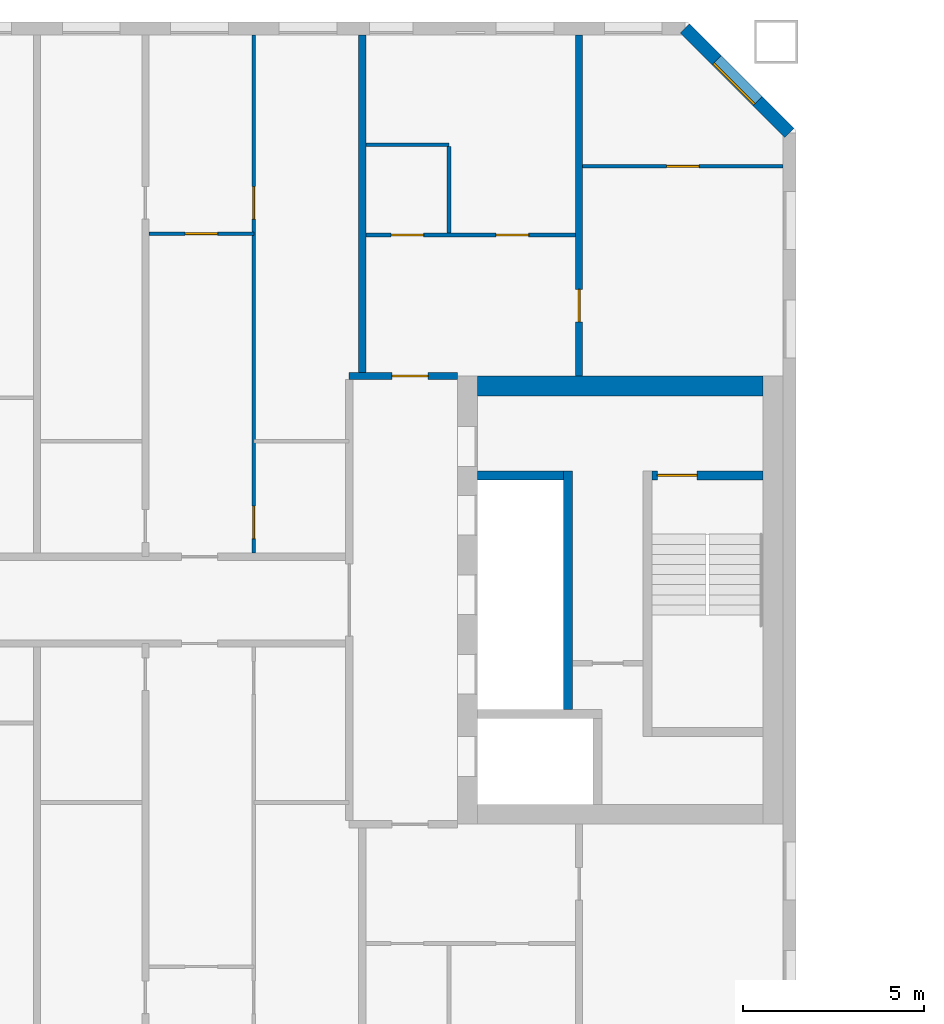
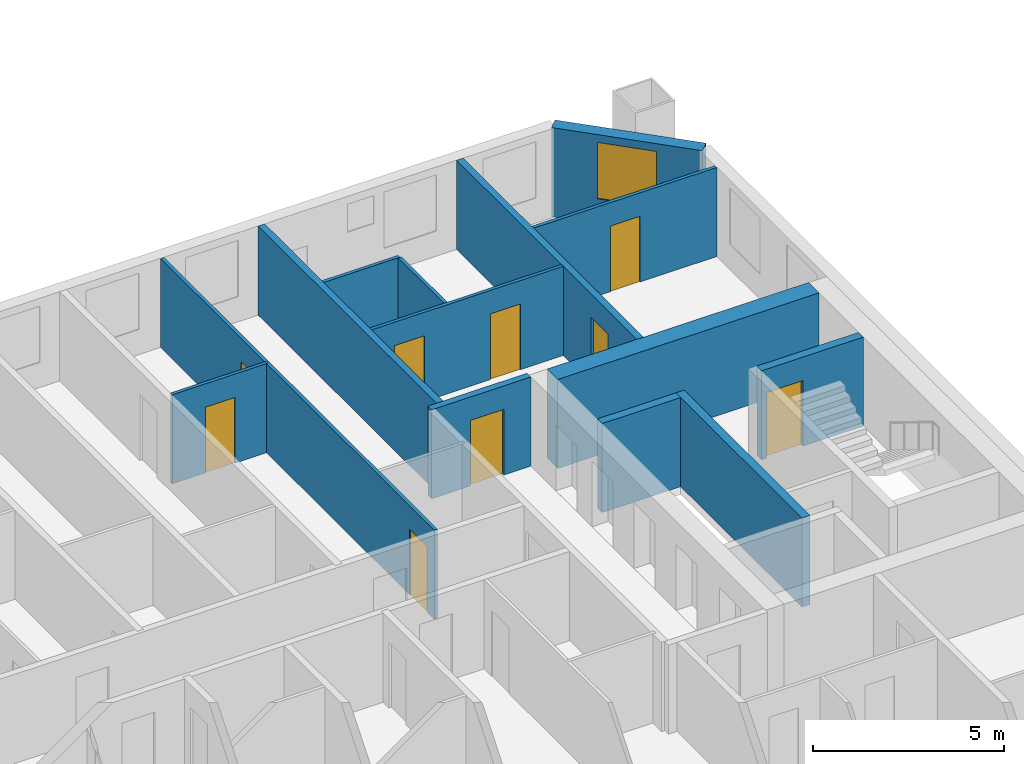
# One storey, part 8 of 17: 14 walls, 9 doors, 1 window, 10 openings.
"""IFC4 building model written with IfcOpenShell, lengths in metres."""

from ifc_helpers import new_model, si_unit, direction, frame, frame_2d, origin, place, context, subcontext, project, spatial, rectangle, extrude, material, layer, layer_set, type_object, element, fill, save


model = new_model("IFC4")

# Units and contexts
model_context = context("Model", 3, precision=1e-05, world=origin(), true_north=direction((0.0, 1.0)))
body_context = subcontext(model_context, "Body", "Model", "MODEL_VIEW")
ifc_project = project(units=[si_unit("LENGTHUNIT", "METRE"), si_unit("AREAUNIT", "SQUARE_METRE"), si_unit("VOLUMEUNIT", "CUBIC_METRE"), si_unit("PLANEANGLEUNIT", "RADIAN"), si_unit("MASSUNIT", "GRAM", prefix="KILO")], contexts=[model_context])

# Site, building, storey
site_placement = place(None, origin())
site = spatial("IfcSite", under=ifc_project, at=site_placement, CompositionType="ELEMENT")
building_placement = place(site_placement, origin())
building = spatial("IfcBuilding", under=site, at=building_placement, Name="Tuart Gate Housing", CompositionType="ELEMENT")
storey_placement = place(building_placement, frame((0.0, 0.0, 126.800048828125)))
storey = spatial("IfcBuildingStorey", under=building, at=storey_placement, Name="L35", CompositionType="ELEMENT", Elevation=126.800048828125)

# Wall, opening, window
ifc_material_1 = material(Name="Brick", Category="masonry")
ifc_layer_1 = layer(ifc_material_1, 0.360107421875)
ifc_layer_set_1 = layer_set([ifc_layer_1], Name="Brick pier and spandrel wall 360")
wall_type_1 = type_object("IfcWallType", Name="Brick pier and spandrel wall 360", PredefinedType="STANDARD", material=ifc_layer_set_1)
wall_1_placement = place(storey_placement, frame((75.820068359375, 82.92529296875, 0.0), z_axis=(0.0, 0.0, 1.0), x_axis=(-0.707106781187, 0.707106781187, 0.0)))
wall_1 = element("IfcWall", 1, at=wall_1_placement, inside=storey, type_object=wall_type_1, Name="External wall A-NE L35", PredefinedType="STANDARD", context=body_context, shape_type="SweptSolid", body=[
    extrude(rectangle(XDim=4.09375, YDim=0.360107421875, at=frame_2d((2.046875, 0.0))), origin(), (0.0, 0.0, 1.0), 2.849853515625),
])
opening_1_placement = place(wall_1_placement, frame((1.2470703125, 0.0, 0.800048828125)))
opening_1 = element("IfcOpeningElement", 2, at=opening_1_placement, cuts=wall_1, Name="Opening W1", PredefinedType="OPENING", context=body_context, shape_type="SweptSolid", body=[
    extrude(rectangle(XDim=1.60009765625, YDim=1.800048828125, at=frame_2d((0.800048828125, 0.89990234375))), frame((0.0, 0.18994140625, 0.0), z_axis=(0.0, -1.0, 0.0), x_axis=(1.0, 0.0, 0.0)), (0.0, 0.0, 1.0), 0.380126953125),
])
ifc_material_2 = material(Name="Aluminium frame with clear glass", Category="aluminium")
window_type = type_object("IfcWindowType", Name="Punched window 1600 x 1800", PartitioningType="SINGLE_PANEL", PredefinedType="WINDOW", material=ifc_material_2)
window_placement = place(opening_1_placement, origin())
window = element("IfcWindow", 3, at=window_placement, inside=storey, type_object=window_type, Name="Window W1", OverallHeight=1.800048828125, OverallWidth=1.60009765625, PartitioningType="SINGLE_PANEL", PredefinedType="WINDOW", context=body_context, shape_type="SweptSolid", body=[
    extrude(rectangle(XDim=1.60009765625, YDim=1.800048828125, at=frame_2d((0.800048828125, 0.89990234375))), frame((0.0, 0.150146484375, 0.0), z_axis=(0.0, -1.0, 0.0), x_axis=(1.0, 0.0, 0.0)), (0.0, 0.0, 1.0), 0.06005859375),
])
fill(opening_1, window)

# Wall
ifc_material_3 = material(Name="Concrete C50", Category="concrete")
ifc_layer_2 = layer(ifc_material_3, 0.25)
ifc_layer_set_2 = layer_set([ifc_layer_2], Name="Core wall 250 C50")
wall_type_2 = type_object("IfcWallType", Name="Core wall 250 C50", PredefinedType="SHEAR", material=ifc_layer_set_2)
wall_2_placement = place(storey_placement, frame((67.18994140625, 73.449951171875, 0.0), z_axis=(0.0, 0.0, 1.0), x_axis=(1.0, 0.0, 0.0)))
element("IfcWall", 4, at=wall_2_placement, inside=storey, type_object=wall_type_2, Name="Core wall AG.4", PredefinedType="SHEAR", context=body_context, shape_type="SweptSolid", body=[
    extrude(rectangle(XDim=2.375, YDim=0.25, at=frame_2d((1.1875, 0.0))), origin(), (0.0, 0.0, 1.0), 2.849853515625),
])

# Wall, opening, door
wall_3_placement = place(storey_placement, frame((72.014892578125, 73.449951171875, 0.0), z_axis=(0.0, 0.0, 1.0), x_axis=(1.0, 0.0, 0.0)))
wall_3 = element("IfcWall", 5, at=wall_3_placement, inside=storey, type_object=wall_type_2, Name="Core wall AG.5", PredefinedType="SHEAR", context=body_context, shape_type="SweptSolid", body=[
    extrude(rectangle(XDim=3.0751953125, YDim=0.25, at=frame_2d((1.53759765625, 0.0))), origin(), (0.0, 0.0, 1.0), 2.849853515625),
])
opening_2_placement = place(wall_3_placement, frame((0.14990234375, 0.0, 0.0)))
opening_2 = element("IfcOpeningElement", 6, at=opening_2_placement, cuts=wall_3, Name="Opening D1313", PredefinedType="OPENING", context=body_context, shape_type="SweptSolid", body=[
    extrude(rectangle(XDim=1.10009765625, YDim=2.10009765625, at=frame_2d((0.550048828125, 1.050048828125))), frame((0.0, 0.135009765625, 0.0), z_axis=(0.0, -1.0, 0.0), x_axis=(1.0, 0.0, 0.0)), (0.0, 0.0, 1.0), 0.27001953125),
])
ifc_material_4 = material(Name="Steel fire door", Category="steel")
door_type_1 = type_object("IfcDoorType", Name="Stair door 1100 x 2100 RH", OperationType="SINGLE_SWING_RIGHT", PredefinedType="DOOR", material=ifc_material_4)
door_1_placement = place(opening_2_placement, frame((1.10009765625, 0.0, 0.0), z_axis=(0.0, 0.0, 1.0), x_axis=(-1.0, 0.0, 0.0)))
door_1 = element("IfcDoor", 7, at=door_1_placement, inside=storey, type_object=door_type_1, Name="Stair door AG.SD", OperationType="SINGLE_SWING_RIGHT", OverallHeight=2.10009765625, OverallWidth=1.10009765625, PredefinedType="DOOR", context=body_context, shape_type="SweptSolid", body=[
    extrude(rectangle(XDim=1.10009765625, YDim=2.10009765625, at=frame_2d((0.550048828125, 1.050048828125))), frame((0.0, 0.025146484375, 0.0), z_axis=(0.0, -1.0, 0.0), x_axis=(1.0, 0.0, 0.0)), (0.0, 0.0, 1.0), 0.050048828125),
])
fill(opening_2, door_1)

# Walls
wall_4_placement = place(storey_placement, frame((69.68994140625, 66.97509765625, 0.0), z_axis=(0.0, 0.0, 1.0), x_axis=(0.0, 1.0, 0.0)))
element("IfcWall", 8, at=wall_4_placement, inside=storey, type_object=wall_type_2, Name="Core wall AG.6", PredefinedType="SHEAR", context=body_context, shape_type="SweptSolid", body=[
    extrude(rectangle(XDim=6.599853515625, YDim=0.25, at=frame_2d((3.2998046875, 0.0))), origin(), (0.0, 0.0, 1.0), 2.849853515625),
])
ifc_material_5 = material(Name="Concrete C50", Category="concrete")
ifc_layer_3 = layer(ifc_material_5, 0.550048828125)
ifc_layer_set_3 = layer_set([ifc_layer_3], Name="Core wall 550 C50")
wall_type_3 = type_object("IfcWallType", Name="Core wall 550 C50", PredefinedType="SHEAR", material=ifc_layer_set_3)
wall_5_placement = place(storey_placement, frame((67.18994140625, 75.925048828125, 0.0), z_axis=(0.0, 0.0, 1.0), x_axis=(1.0, 0.0, 0.0)))
element("IfcWall", 9, at=wall_5_placement, inside=storey, type_object=wall_type_3, Name="Core wall AG north", PredefinedType="SHEAR", context=body_context, shape_type="SweptSolid", body=[
    extrude(rectangle(XDim=7.900146484375, YDim=0.550048828125, at=frame_2d((3.9501953125, 0.0))), origin(), (0.0, 0.0, 1.0), 2.849853515625),
])

# Wall, opening, door
ifc_material_6 = material(Name="Concrete masonry 15 MPa", Category="masonry")
ifc_layer_4 = layer(ifc_material_6, 0.199951171875)
ifc_layer_set_4 = layer_set([ifc_layer_4], Name="Enclosure wall masonry 200")
wall_type_4 = type_object("IfcWallType", Name="Enclosure wall masonry 200", PredefinedType="PARTITIONING", material=ifc_layer_set_4)
wall_6_placement = place(storey_placement, frame((63.639892578125, 76.199951171875, 0.0), z_axis=(0.0, 0.0, 1.0), x_axis=(1.0, 0.0, 0.0)))
wall_6 = element("IfcWall", 10, at=wall_6_placement, inside=storey, type_object=wall_type_4, Name="Enclosure wall masonry 200", PredefinedType="PARTITIONING", context=body_context, shape_type="SweptSolid", body=[
    extrude(rectangle(XDim=3.0, YDim=0.199951171875, at=frame_2d((1.5, 0.0))), origin(), (0.0, 0.0, 1.0), 2.849853515625),
])
opening_3_placement = place(wall_6_placement, frame((1.179931640625, 0.0, 0.0)))
opening_3 = element("IfcOpeningElement", 11, at=opening_3_placement, cuts=wall_6, Name="Opening D1311", PredefinedType="OPENING", context=body_context, shape_type="SweptSolid", body=[
    extrude(rectangle(XDim=1.0, YDim=2.10009765625, at=frame_2d((0.5, 1.050048828125))), frame((0.0, 0.10986328125, 0.0), z_axis=(0.0, -1.0, 0.0), x_axis=(1.0, 0.0, 0.0)), (0.0, 0.0, 1.0), 0.219970703125),
])
ifc_material_7 = material(Name="Timber door leaf in steel frame", Category="steel")
door_type_2 = type_object("IfcDoorType", Name="Flat entrance door 1000", OperationType="SINGLE_SWING_LEFT", PredefinedType="DOOR", material=ifc_material_7)
door_2_placement = place(opening_3_placement, origin())
door_2 = element("IfcDoor", 12, at=door_2_placement, inside=storey, type_object=door_type_2, Name="Flat entrance door", OperationType="SINGLE_SWING_LEFT", OverallHeight=2.10009765625, OverallWidth=1.0, PredefinedType="DOOR", context=body_context, shape_type="SweptSolid", body=[
    extrude(rectangle(XDim=1.0, YDim=2.10009765625, at=frame_2d((0.5, 1.050048828125))), frame((0.0, 0.02490234375, 0.0), z_axis=(0.0, -1.0, 0.0), x_axis=(1.0, 0.0, 0.0)), (0.0, 0.0, 1.0), 0.050048828125),
])
fill(opening_3, door_2)

# Wall, openings, doors
ifc_material_8 = material(Name="Gypsum board on steel studs", Category="steel")
ifc_layer_5 = layer(ifc_material_8, 0.10009765625)
ifc_layer_set_5 = layer_set([ifc_layer_5], Name="Partition 100")
wall_type_5 = type_object("IfcWallType", Name="Partition 100", PredefinedType="PARTITIONING", material=ifc_layer_set_5)
wall_7_placement = place(storey_placement, frame((64.10009765625, 80.10009765625, 0.0), z_axis=(0.0, 0.0, 1.0), x_axis=(1.0, 0.0, 0.0)))
wall_7 = element("IfcWall", 13, at=wall_7_placement, inside=storey, type_object=wall_type_5, Name="Partition 100", PredefinedType="PARTITIONING", context=body_context, shape_type="SweptSolid", body=[
    extrude(rectangle(XDim=5.7998046875, YDim=0.10009765625, at=frame_2d((2.89990234375, 0.0))), origin(), (0.0, 0.0, 1.0), 2.849853515625),
])
opening_4_placement = place(wall_7_placement, frame((3.60009765625, 0.0, 0.0)))
opening_4 = element("IfcOpeningElement", 14, at=opening_4_placement, cuts=wall_7, Name="Opening D1297", PredefinedType="OPENING", context=body_context, shape_type="SweptSolid", body=[
    extrude(rectangle(XDim=0.89990234375, YDim=2.10009765625, at=frame_2d((0.449951171875, 1.050048828125))), frame((0.0, 0.06005859375, 0.0), z_axis=(0.0, -1.0, 0.0), x_axis=(1.0, 0.0, 0.0)), (0.0, 0.0, 1.0), 0.1201171875),
])
opening_5_placement = place(wall_7_placement, frame((0.699951171875, 0.0, 0.0)))
opening_5 = element("IfcOpeningElement", 15, at=opening_5_placement, cuts=wall_7, Name="Opening D1296", PredefinedType="OPENING", context=body_context, shape_type="SweptSolid", body=[
    extrude(rectangle(XDim=0.89990234375, YDim=2.10009765625, at=frame_2d((0.449951171875, 1.050048828125))), frame((0.0, 0.06005859375, 0.0), z_axis=(0.0, -1.0, 0.0), x_axis=(1.0, 0.0, 0.0)), (0.0, 0.0, 1.0), 0.1201171875),
])
ifc_material_9 = material(Name="Timber door leaf in steel frame", Category="steel")
door_type_3 = type_object("IfcDoorType", Name="Bathroom door 900 RH", OperationType="SINGLE_SWING_RIGHT", PredefinedType="DOOR", material=ifc_material_9)
door_3_placement = place(opening_5_placement, origin())
door_3 = element("IfcDoor", 16, at=door_3_placement, inside=storey, type_object=door_type_3, Name="Bathroom door", OperationType="SINGLE_SWING_RIGHT", OverallHeight=2.10009765625, OverallWidth=0.89990234375, PredefinedType="DOOR", context=body_context, shape_type="SweptSolid", body=[
    extrude(rectangle(XDim=0.89990234375, YDim=2.10009765625, at=frame_2d((0.449951171875, 1.050048828125))), frame((0.0, 0.02490234375, 0.0), z_axis=(0.0, -1.0, 0.0), x_axis=(1.0, 0.0, 0.0)), (0.0, 0.0, 1.0), 0.050048828125),
])
fill(opening_5, door_3)
ifc_material_10 = material(Name="Timber door leaf in steel frame", Category="steel")
door_type_4 = type_object("IfcDoorType", Name="Internal door 900", OperationType="SINGLE_SWING_LEFT", PredefinedType="DOOR", material=ifc_material_10)
door_4_placement = place(opening_4_placement, origin())
door_4 = element("IfcDoor", 17, at=door_4_placement, inside=storey, type_object=door_type_4, Name="Internal door", OperationType="SINGLE_SWING_LEFT", OverallHeight=2.10009765625, OverallWidth=0.89990234375, PredefinedType="DOOR", context=body_context, shape_type="SweptSolid", body=[
    extrude(rectangle(XDim=0.89990234375, YDim=2.10009765625, at=frame_2d((0.449951171875, 1.050048828125))), frame((0.0, 0.02490234375, 0.0), z_axis=(0.0, -1.0, 0.0), x_axis=(1.0, 0.0, 0.0)), (0.0, 0.0, 1.0), 0.050048828125),
])
fill(opening_4, door_4)

# Wall, opening, door
wall_8_placement = place(storey_placement, frame((58.10009765625, 80.139892578125, 0.0), z_axis=(0.0, 0.0, 1.0), x_axis=(1.0, 0.0, 0.0)))
wall_8 = element("IfcWall", 18, at=wall_8_placement, inside=storey, type_object=wall_type_5, Name="Partition 100", PredefinedType="PARTITIONING", context=body_context, shape_type="SweptSolid", body=[
    extrude(rectangle(XDim=2.89990234375, YDim=0.10009765625, at=frame_2d((1.449951171875, 0.0))), origin(), (0.0, 0.0, 1.0), 2.849853515625),
])
opening_6_placement = place(wall_8_placement, frame((1.0, 0.0, 0.0)))
opening_6 = element("IfcOpeningElement", 19, at=opening_6_placement, cuts=wall_8, Name="Opening D1293", PredefinedType="OPENING", context=body_context, shape_type="SweptSolid", body=[
    extrude(rectangle(XDim=0.89990234375, YDim=2.10009765625, at=frame_2d((0.449951171875, 1.050048828125))), frame((0.0, 0.06005859375, 0.0), z_axis=(0.0, -1.0, 0.0), x_axis=(1.0, 0.0, 0.0)), (0.0, 0.0, 1.0), 0.1201171875),
])
door_5_placement = place(opening_6_placement, frame((0.89990234375, 0.0, 0.0), z_axis=(0.0, 0.0, 1.0), x_axis=(-1.0, 0.0, 0.0)))
door_5 = element("IfcDoor", 20, at=door_5_placement, inside=storey, type_object=door_type_4, Name="Internal door", OperationType="SINGLE_SWING_LEFT", OverallHeight=2.10009765625, OverallWidth=0.89990234375, PredefinedType="DOOR", context=body_context, shape_type="SweptSolid", body=[
    extrude(rectangle(XDim=0.89990234375, YDim=2.10009765625, at=frame_2d((0.449951171875, 1.050048828125))), frame((0.0, 0.025146484375, 0.0), z_axis=(0.0, -1.0, 0.0), x_axis=(1.0, 0.0, 0.0)), (0.0, 0.0, 1.0), 0.050048828125),
])
fill(opening_6, door_5)

wall_9_placement = place(storey_placement, frame((70.10009765625, 82.0, 0.0), z_axis=(0.0, 0.0, 1.0), x_axis=(1.0, 0.0, 0.0)))
wall_9 = element("IfcWall", 21, at=wall_9_placement, inside=storey, type_object=wall_type_5, Name="Partition 100", PredefinedType="PARTITIONING", context=body_context, shape_type="SweptSolid", body=[
    extrude(rectangle(XDim=5.539794921875, YDim=0.10009765625, at=frame_2d((2.77001953125, 0.0))), origin(), (0.0, 0.0, 1.0), 2.849853515625),
])
opening_7_placement = place(wall_9_placement, frame((2.320068359375, 0.0, 0.0)))
opening_7 = element("IfcOpeningElement", 22, at=opening_7_placement, cuts=wall_9, Name="Opening D1290", PredefinedType="OPENING", context=body_context, shape_type="SweptSolid", body=[
    extrude(rectangle(XDim=0.89990234375, YDim=2.10009765625, at=frame_2d((0.449951171875, 1.050048828125))), frame((0.0, 0.06005859375, 0.0), z_axis=(0.0, -1.0, 0.0), x_axis=(1.0, 0.0, 0.0)), (0.0, 0.0, 1.0), 0.1201171875),
])
ifc_material_11 = material(Name="Timber door leaf in steel frame", Category="steel")
door_type_5 = type_object("IfcDoorType", Name="Internal door 900 RH", OperationType="SINGLE_SWING_RIGHT", PredefinedType="DOOR", material=ifc_material_11)
door_6_placement = place(opening_7_placement, origin())
door_6 = element("IfcDoor", 23, at=door_6_placement, inside=storey, type_object=door_type_5, Name="Internal door", OperationType="SINGLE_SWING_RIGHT", OverallHeight=2.10009765625, OverallWidth=0.89990234375, PredefinedType="DOOR", context=body_context, shape_type="SweptSolid", body=[
    extrude(rectangle(XDim=0.89990234375, YDim=2.10009765625, at=frame_2d((0.449951171875, 1.050048828125))), frame((0.0, 0.02490234375, 0.0), z_axis=(0.0, -1.0, 0.0), x_axis=(1.0, 0.0, 0.0)), (0.0, 0.0, 1.0), 0.050048828125),
])
fill(opening_7, door_6)

# Wall
wall_10_placement = place(storey_placement, frame((64.10009765625, 82.60009765625, 0.0), z_axis=(0.0, 0.0, 1.0), x_axis=(1.0, 0.0, 0.0)))
element("IfcWall", 24, at=wall_10_placement, inside=storey, type_object=wall_type_5, Name="Partition 100", PredefinedType="PARTITIONING", context=body_context, shape_type="SweptSolid", body=[
    extrude(rectangle(XDim=2.2998046875, YDim=0.10009765625, at=frame_2d((1.14990234375, 0.0))), origin(), (0.0, 0.0, 1.0), 2.849853515625),
])

# Wall, openings, doors
wall_11_placement = place(storey_placement, frame((61.0, 71.300048828125, 0.0), z_axis=(0.0, 0.0, 1.0), x_axis=(0.0, 1.0, 0.0)))
wall_11 = element("IfcWall", 25, at=wall_11_placement, inside=storey, type_object=wall_type_5, Name="Partition 100", PredefinedType="PARTITIONING", context=body_context, shape_type="SweptSolid", body=[
    extrude(rectangle(XDim=14.33984375, YDim=0.10009765625, at=frame_2d((7.169921875, 0.0))), origin(), (0.0, 0.0, 1.0), 2.849853515625),
])
opening_8_placement = place(wall_11_placement, frame((9.239990234375, 0.0, 0.0)))
opening_8 = element("IfcOpeningElement", 26, at=opening_8_placement, cuts=wall_11, Name="Opening D1304", PredefinedType="OPENING", context=body_context, shape_type="SweptSolid", body=[
    extrude(rectangle(XDim=0.89990234375, YDim=2.10009765625, at=frame_2d((0.449951171875, 1.050048828125))), frame((0.0, 0.06005859375, 0.0), z_axis=(0.0, -1.0, 0.0), x_axis=(1.0, 0.0, 0.0)), (0.0, 0.0, 1.0), 0.1201171875),
])
opening_9_placement = place(wall_11_placement, frame((0.39990234375, 0.0, 0.0)))
opening_9 = element("IfcOpeningElement", 27, at=opening_9_placement, cuts=wall_11, Name="Opening D1303", PredefinedType="OPENING", context=body_context, shape_type="SweptSolid", body=[
    extrude(rectangle(XDim=0.89990234375, YDim=2.10009765625, at=frame_2d((0.449951171875, 1.050048828125))), frame((0.0, 0.06005859375, 0.0), z_axis=(0.0, -1.0, 0.0), x_axis=(1.0, 0.0, 0.0)), (0.0, 0.0, 1.0), 0.1201171875),
])
door_7_placement = place(opening_9_placement, frame((0.89990234375, 0.0, 0.0), z_axis=(0.0, 0.0, 1.0), x_axis=(-1.0, 0.0, 0.0)))
door_7 = element("IfcDoor", 28, at=door_7_placement, inside=storey, type_object=door_type_3, Name="Bathroom door", OperationType="SINGLE_SWING_RIGHT", OverallHeight=2.10009765625, OverallWidth=0.89990234375, PredefinedType="DOOR", context=body_context, shape_type="SweptSolid", body=[
    extrude(rectangle(XDim=0.89990234375, YDim=2.10009765625, at=frame_2d((0.449951171875, 1.050048828125))), frame((0.0, 0.025146484375, 0.0), z_axis=(0.0, -1.0, 0.0), x_axis=(1.0, 0.0, 0.0)), (0.0, 0.0, 1.0), 0.050048828125),
])
fill(opening_9, door_7)
door_8_placement = place(opening_8_placement, frame((0.89990234375, 0.0, 0.0), z_axis=(0.0, 0.0, 1.0), x_axis=(-1.0, 0.0, 0.0)))
door_8 = element("IfcDoor", 29, at=door_8_placement, inside=storey, type_object=door_type_4, Name="Internal door", OperationType="SINGLE_SWING_LEFT", OverallHeight=2.10009765625, OverallWidth=0.89990234375, PredefinedType="DOOR", context=body_context, shape_type="SweptSolid", body=[
    extrude(rectangle(XDim=0.89990234375, YDim=2.10009765625, at=frame_2d((0.449951171875, 1.050048828125))), frame((0.0, 0.025146484375, 0.0), z_axis=(0.0, -1.0, 0.0), x_axis=(1.0, 0.0, 0.0)), (0.0, 0.0, 1.0), 0.050048828125),
])
fill(opening_8, door_8)

# Walls
wall_12_placement = place(storey_placement, frame((66.39990234375, 80.14990234375, 0.0), z_axis=(0.0, 0.0, 1.0), x_axis=(0.0, 1.0, 0.0)))
element("IfcWall", 30, at=wall_12_placement, inside=storey, type_object=wall_type_5, Name="Partition 100", PredefinedType="PARTITIONING", context=body_context, shape_type="SweptSolid", body=[
    extrude(rectangle(XDim=2.400146484375, YDim=0.10009765625, at=frame_2d((1.2001953125, 0.0))), origin(), (0.0, 0.0, 1.0), 2.849853515625),
])
ifc_material_12 = material(Name="Concrete C40", Category="concrete")
ifc_layer_6 = layer(ifc_material_12, 0.199951171875)
ifc_layer_set_6 = layer_set([ifc_layer_6], Name="Party wall concrete C40 200")
wall_type_6 = type_object("IfcWallType", Name="Party wall concrete C40 200", PredefinedType="SOLIDWALL", material=ifc_layer_set_6)
wall_13_placement = place(storey_placement, frame((64.0, 76.199951171875, 0.0), z_axis=(0.0, 0.0, 1.0), x_axis=(0.0, 1.0, 0.0)))
element("IfcWall", 31, at=wall_13_placement, inside=storey, type_object=wall_type_6, Name="Party wall concrete C40 200", PredefinedType="SOLIDWALL", context=body_context, shape_type="SweptSolid", body=[
    extrude(rectangle(XDim=9.43994140625, YDim=0.199951171875, at=frame_2d((4.719970703125, 0.0))), origin(), (0.0, 0.0, 1.0), 2.849853515625),
])

# Wall, opening, door
wall_14_placement = place(storey_placement, frame((70.0, 76.199951171875, 0.0), z_axis=(0.0, 0.0, 1.0), x_axis=(0.0, 1.0, 0.0)))
wall_14 = element("IfcWall", 32, at=wall_14_placement, inside=storey, type_object=wall_type_6, Name="Party wall concrete C40 200", PredefinedType="SOLIDWALL", context=body_context, shape_type="SweptSolid", body=[
    extrude(rectangle(XDim=9.43994140625, YDim=0.199951171875, at=frame_2d((4.719970703125, 0.0))), origin(), (0.0, 0.0, 1.0), 2.849853515625),
])
opening_10_placement = place(wall_14_placement, frame((1.5, 0.0, 0.0)))
opening_10 = element("IfcOpeningElement", 33, at=opening_10_placement, cuts=wall_14, Name="Opening D1291", PredefinedType="OPENING", context=body_context, shape_type="SweptSolid", body=[
    extrude(rectangle(XDim=0.89990234375, YDim=2.10009765625, at=frame_2d((0.449951171875, 1.050048828125))), frame((0.0, 0.10986328125, 0.0), z_axis=(0.0, -1.0, 0.0), x_axis=(1.0, 0.0, 0.0)), (0.0, 0.0, 1.0), 0.219970703125),
])
door_9_placement = place(opening_10_placement, origin())
door_9 = element("IfcDoor", 34, at=door_9_placement, inside=storey, type_object=door_type_4, Name="Internal door", OperationType="SINGLE_SWING_LEFT", OverallHeight=2.10009765625, OverallWidth=0.89990234375, PredefinedType="DOOR", context=body_context, shape_type="SweptSolid", body=[
    extrude(rectangle(XDim=0.89990234375, YDim=2.10009765625, at=frame_2d((0.449951171875, 1.050048828125))), frame((0.0, 0.02490234375, 0.0), z_axis=(0.0, -1.0, 0.0), x_axis=(1.0, 0.0, 0.0)), (0.0, 0.0, 1.0), 0.050048828125),
])
fill(opening_10, door_9)

save(model, "model.ifc")
